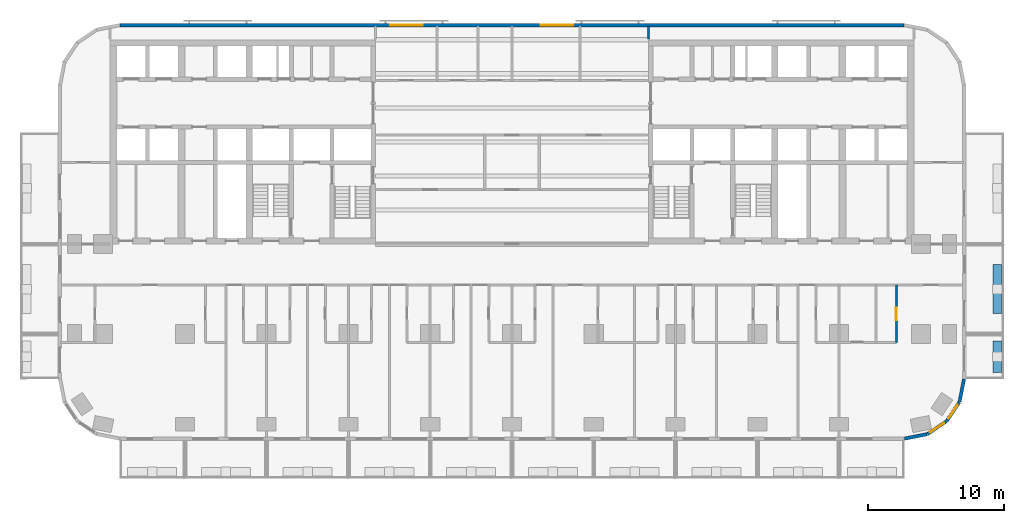
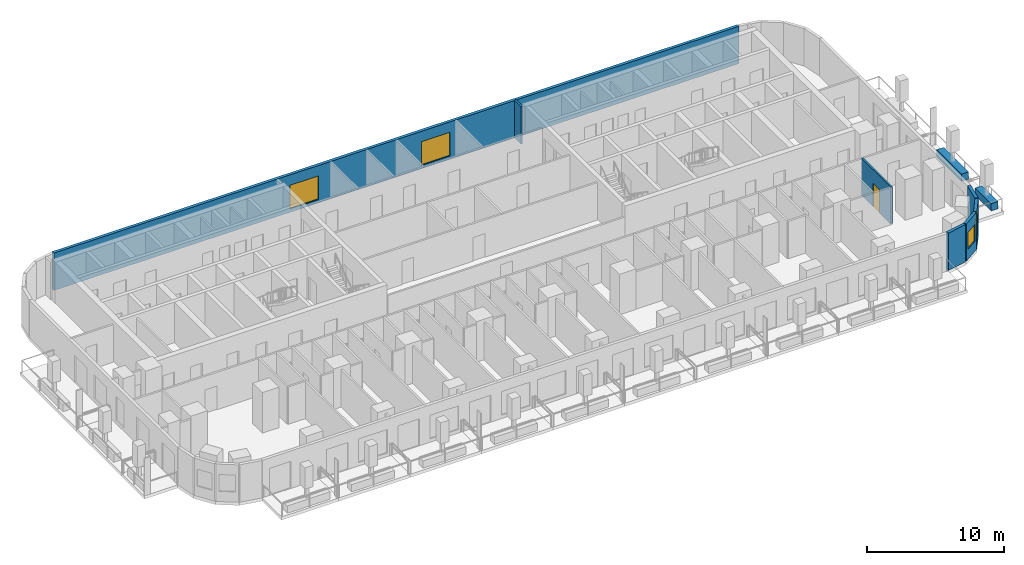
# One storey, part 8 of 14: 9 walls, 4 windows, 1 door, 5 openings.
"""IFC4 building model written with IfcOpenShell, lengths in metres."""

from ifc_helpers import new_model, si_unit, direction, frame, frame_2d, origin, place, context, subcontext, project, spatial, rectangle, extrude, material, layer, layer_set, type_object, element, fill, save


model = new_model("IFC4")

# Units and contexts
model_context = context("Model", 3, precision=1e-05, world=origin(), true_north=direction((0.0, 1.0)))
body_context = subcontext(model_context, "Body", "Model", "MODEL_VIEW")
ifc_project = project(units=[si_unit("LENGTHUNIT", "METRE"), si_unit("AREAUNIT", "SQUARE_METRE"), si_unit("VOLUMEUNIT", "CUBIC_METRE"), si_unit("PLANEANGLEUNIT", "RADIAN"), si_unit("MASSUNIT", "GRAM", prefix="KILO")], contexts=[model_context])

# Site, building, storey
site_placement = place(None, origin())
site = spatial("IfcSite", under=ifc_project, at=site_placement, CompositionType="ELEMENT")
building_placement = place(site_placement, origin())
building = spatial("IfcBuilding", under=site, at=building_placement, Name="Torana Hotel and Residences", CompositionType="ELEMENT")
storey_placement = place(building_placement, frame((0.0, 0.0, 38.39990234375)))
storey = spatial("IfcBuildingStorey", under=building, at=storey_placement, Name="L08", CompositionType="ELEMENT", Elevation=38.39990234375)

# Wall
ifc_material_1 = material(Name="Black aluminium composite panel", Category="aluminium")
ifc_layer_1 = layer(ifc_material_1, 0.00390625, Name="Cladding", Category="cladding")
ifc_material_2 = material(Name="Ventilated air cavity")
ifc_layer_2 = layer(ifc_material_2, 0.0400390625, Name="Ventilated cavity", Category="cavity")
ifc_material_3 = material(Name="Mineral wool insulation")
ifc_layer_3 = layer(ifc_material_3, 0.090087890625, Name="Insulation", Category="insulation")
ifc_material_4 = material(Name="Steel S280GD", Category="steel")
ifc_layer_4 = layer(ifc_material_4, 0.092041015625, Name="Steel stud frame", Category="structure")
ifc_material_5 = material(Name="Fire rated plasterboard")
ifc_layer_5 = layer(ifc_material_5, 0.011962890625, Name="Inner board", Category="finish")
ifc_layer_6 = layer(ifc_material_5, 0.011962890625, Name="Second board", Category="finish")
ifc_layer_set_1 = layer_set([ifc_layer_1, ifc_layer_2, ifc_layer_3, ifc_layer_4, ifc_layer_5, ifc_layer_6], Name="EW1 EXTERNAL WALL BLACK METAL CLAD 250")
wall_type_1 = type_object("IfcWallType", Name="EW1 EXTERNAL WALL BLACK METAL CLAD 250", PredefinedType="SOLIDWALL", material=ifc_layer_set_1)
wall_1_placement = place(storey_placement, frame((28.7998046875, -29.272705078125, 0.0), z_axis=(0.0, 0.0, 1.0), x_axis=(0.980775640221, 0.19513878023, 0.0)))
element("IfcWall", 1, at=wall_1_placement, inside=storey, type_object=wall_type_1, Name="External wall L08 e0.15", PredefinedType="SOLIDWALL", context=body_context, shape_type="SweptSolid", body=[
    extrude(rectangle(XDim=1.681396484375, YDim=0.25, at=frame_2d((0.8408203125, 0.0))), origin(), (0.0, 0.0, 1.0), 3.320068359375),
])

# Wall, opening, window
wall_2_placement = place(storey_placement, frame((30.493896484375, -28.92578125, 0.0), z_axis=(0.0, 0.0, 1.0), x_axis=(0.831482937015, 0.55555029066, 0.0)))
wall_2 = element("IfcWall", 2, at=wall_2_placement, inside=storey, type_object=wall_type_1, Name="External wall L08 e0.16", PredefinedType="SOLIDWALL", context=body_context, shape_type="SweptSolid", body=[
    extrude(rectangle(XDim=1.65625, YDim=0.25, at=frame_2d((0.828125, 0.0))), origin(), (0.0, 0.0, 1.0), 3.320068359375),
])
opening_1_placement = place(wall_2_placement, frame((0.228271484375, 0.0, 0.89990234375)))
opening_1 = element("IfcOpeningElement", 3, at=opening_1_placement, cuts=wall_2, Name="Opening W5", PredefinedType="OPENING", context=body_context, shape_type="SweptSolid", body=[
    extrude(rectangle(XDim=1.199951171875, YDim=1.5, at=frame_2d((0.60009765625, 0.75))), frame((0.0, 0.135009765625, 0.0), z_axis=(0.0, -1.0, 0.0), x_axis=(1.0, 0.0, 0.0)), (0.0, 0.0, 1.0), 0.27001953125),
])
ifc_material_6 = material(Name="Dark glass in black aluminium frame", Category="aluminium")
window_type_1 = type_object("IfcWindowType", Name="W5 CORNER FACET WINDOW 1200x1500", PartitioningType="SINGLE_PANEL", PredefinedType="WINDOW", material=ifc_material_6)
window_1_placement = place(opening_1_placement, origin())
window_1 = element("IfcWindow", 4, at=window_1_placement, inside=storey, type_object=window_type_1, Name="Window L08 e0.16", OverallHeight=1.5, OverallWidth=1.199951171875, PartitioningType="SINGLE_PANEL", PredefinedType="WINDOW", context=body_context, shape_type="SweptSolid", body=[
    extrude(rectangle(XDim=1.199951171875, YDim=1.5, at=frame_2d((0.60009765625, 0.75))), frame((0.0, 0.030029296875, 0.0), z_axis=(0.0, -1.0, 0.0), x_axis=(1.0, 0.0, 0.0)), (0.0, 0.0, 1.0), 0.06005859375),
])
fill(opening_1, window_1)

wall_3_placement = place(storey_placement, frame((31.90576171875, -27.97119140625, 0.0), z_axis=(0.0, 0.0, 1.0), x_axis=(0.55555029066, 0.831482937015, 0.0)))
wall_3 = element("IfcWall", 5, at=wall_3_placement, inside=storey, type_object=wall_type_1, Name="External wall L08 e0.17", PredefinedType="SOLIDWALL", context=body_context, shape_type="SweptSolid", body=[
    extrude(rectangle(XDim=1.65625, YDim=0.25, at=frame_2d((0.828125, 0.0))), origin(), (0.0, 0.0, 1.0), 3.320068359375),
])
opening_2_placement = place(wall_3_placement, frame((0.228271484375, 0.0, 0.89990234375)))
opening_2 = element("IfcOpeningElement", 6, at=opening_2_placement, cuts=wall_3, Name="Opening W5", PredefinedType="OPENING", context=body_context, shape_type="SweptSolid", body=[
    extrude(rectangle(XDim=1.199951171875, YDim=1.5, at=frame_2d((0.60009765625, 0.75))), frame((0.0, 0.135009765625, 0.0), z_axis=(0.0, -1.0, 0.0), x_axis=(1.0, 0.0, 0.0)), (0.0, 0.0, 1.0), 0.27001953125),
])
window_2_placement = place(opening_2_placement, origin())
window_2 = element("IfcWindow", 7, at=window_2_placement, inside=storey, type_object=window_type_1, Name="Window L08 e0.17", OverallHeight=1.5, OverallWidth=1.199951171875, PartitioningType="SINGLE_PANEL", PredefinedType="WINDOW", context=body_context, shape_type="SweptSolid", body=[
    extrude(rectangle(XDim=1.199951171875, YDim=1.5, at=frame_2d((0.60009765625, 0.75))), frame((0.0, 0.030029296875, 0.0), z_axis=(0.0, -1.0, 0.0), x_axis=(1.0, 0.0, 0.0)), (0.0, 0.0, 1.0), 0.06005859375),
])
fill(opening_2, window_2)

# Wall
wall_4_placement = place(storey_placement, frame((32.844482421875, -26.548828125, 0.0), z_axis=(0.0, 0.0, 1.0), x_axis=(0.195166572128, 0.980770110232, 0.0)))
element("IfcWall", 8, at=wall_4_placement, inside=storey, type_object=wall_type_1, Name="External wall L08 e0.18", PredefinedType="SOLIDWALL", context=body_context, shape_type="SweptSolid", body=[
    extrude(rectangle(XDim=1.68115234375, YDim=0.25, at=frame_2d((0.840576171875, 0.0))), origin(), (0.0, 0.0, 1.0), 3.320068359375),
])

# Wall, openings, windows
ifc_material_7 = material(Name="Concrete C40/50 precast", Category="concrete")
ifc_layer_7 = layer(ifc_material_7, 0.10009765625, Name="Perforated block", Category="cladding")
ifc_material_8 = material(Name="Air cavity")
ifc_layer_8 = layer(ifc_material_8, 0.030029296875, Name="Cavity", Category="cavity")
ifc_material_9 = material(Name="Concrete C40/50", Category="concrete")
ifc_layer_9 = layer(ifc_material_9, 0.10009765625, Name="Wall", Category="structure")
ifc_material_10 = material(Name="Plaster and paint")
ifc_layer_10 = layer(ifc_material_10, 0.02001953125, Name="Inner finish", Category="finish")
ifc_layer_set_2 = layer_set([ifc_layer_7, ifc_layer_8, ifc_layer_9, ifc_layer_10], Name="EW2 PERFORATED BLOCK SCREEN WALL 250")
wall_type_2 = type_object("IfcWallType", Name="EW2 PERFORATED BLOCK SCREEN WALL 250", PredefinedType="SOLIDWALL", material=ifc_layer_set_2)
wall_5_placement = place(storey_placement, frame((28.775390625, 1.074951171875, 0.0), z_axis=(0.0, 0.0, 1.0), x_axis=(-1.0, 0.0, 0.0)))
wall_5 = element("IfcWall", 9, at=wall_5_placement, inside=storey, type_object=wall_type_2, Name="External wall L08 e0.4", PredefinedType="SOLIDWALL", context=body_context, shape_type="SweptSolid", body=[
    extrude(rectangle(XDim=57.55078125, YDim=0.25, at=frame_2d((28.775390625, 0.0))), origin(), (0.0, 0.0, 1.0), 3.320068359375),
])
opening_3_placement = place(wall_5_placement, frame((24.275390625, 0.0, 0.300048828125)))
opening_3 = element("IfcOpeningElement", 10, at=opening_3_placement, cuts=wall_5, Name="Opening W1", PredefinedType="OPENING", context=body_context, shape_type="SweptSolid", body=[
    extrude(rectangle(XDim=2.39990234375, YDim=2.10009765625, at=frame_2d((1.199951171875, 1.050048828125))), frame((0.0, 0.135009765625, 0.0), z_axis=(0.0, -1.0, 0.0), x_axis=(1.0, 0.0, 0.0)), (0.0, 0.0, 1.0), 0.27001953125),
])
opening_4_placement = place(wall_5_placement, frame((35.325439453125, 0.0, 0.300048828125)))
opening_4 = element("IfcOpeningElement", 11, at=opening_4_placement, cuts=wall_5, Name="Opening W1", PredefinedType="OPENING", context=body_context, shape_type="SweptSolid", body=[
    extrude(rectangle(XDim=2.39990234375, YDim=2.10009765625, at=frame_2d((1.199951171875, 1.050048828125))), frame((0.0, 0.135009765625, 0.0), z_axis=(0.0, -1.0, 0.0), x_axis=(1.0, 0.0, 0.0)), (0.0, 0.0, 1.0), 0.27001953125),
])
ifc_material_11 = material(Name="Dark glass in black aluminium frame", Category="aluminium")
window_type_2 = type_object("IfcWindowType", Name="W1 HOTEL ROOM WINDOW 2400x2100", PartitioningType="SINGLE_PANEL", PredefinedType="WINDOW", material=ifc_material_11)
window_3_placement = place(opening_3_placement, origin())
window_3 = element("IfcWindow", 12, at=window_3_placement, inside=storey, type_object=window_type_2, Name="Window L08", OverallHeight=2.10009765625, OverallWidth=2.39990234375, PartitioningType="SINGLE_PANEL", PredefinedType="WINDOW", context=body_context, shape_type="SweptSolid", body=[
    extrude(rectangle(XDim=2.39990234375, YDim=2.10009765625, at=frame_2d((1.199951171875, 1.050048828125))), frame((0.0, 0.030029296875, 0.0), z_axis=(0.0, -1.0, 0.0), x_axis=(1.0, 0.0, 0.0)), (0.0, 0.0, 1.0), 0.06005859375),
])
fill(opening_3, window_3)
window_4_placement = place(opening_4_placement, origin())
window_4 = element("IfcWindow", 13, at=window_4_placement, inside=storey, type_object=window_type_2, Name="Window L08", OverallHeight=2.10009765625, OverallWidth=2.39990234375, PartitioningType="SINGLE_PANEL", PredefinedType="WINDOW", context=body_context, shape_type="SweptSolid", body=[
    extrude(rectangle(XDim=2.39990234375, YDim=2.10009765625, at=frame_2d((1.199951171875, 1.050048828125))), frame((0.0, 0.030029296875, 0.0), z_axis=(0.0, -1.0, 0.0), x_axis=(1.0, 0.0, 0.0)), (0.0, 0.0, 1.0), 0.06005859375),
])
fill(opening_4, window_4)

# Wall, opening, door
ifc_material_12 = material(Name="Gypsum plasterboard")
ifc_layer_11 = layer(ifc_material_12, 0.012451171875, Name="Plasterboard", Category="finish")
ifc_layer_12 = layer(ifc_material_12, 0.012451171875, Name="Plasterboard", Category="finish")
ifc_layer_13 = layer(ifc_material_4, 0.10009765625, Name="Steel studs with mineral wool", Category="insulation")
ifc_layer_14 = layer(ifc_material_12, 0.012451171875, Name="Plasterboard", Category="finish")
ifc_layer_15 = layer(ifc_material_12, 0.012451171875, Name="Plasterboard", Category="finish")
ifc_layer_set_3 = layer_set([ifc_layer_11, ifc_layer_12, ifc_layer_13, ifc_layer_14, ifc_layer_15], Name="PARTITION 150 PLASTERBOARD")
wall_type_3 = type_object("IfcWallType", Name="PARTITION 150 PLASTERBOARD", PredefinedType="PARTITIONING", material=ifc_layer_set_3)
wall_6_placement = place(storey_placement, frame((28.199951171875, -22.199951171875, 0.0), z_axis=(0.0, 0.0, 1.0), x_axis=(0.0, 1.0, 0.0)))
wall_6 = element("IfcWall", 14, at=wall_6_placement, inside=storey, type_object=wall_type_3, Name="Partition L08", PredefinedType="PARTITIONING", context=body_context, shape_type="SweptSolid", body=[
    extrude(rectangle(XDim=4.199951171875, YDim=0.14990234375, at=frame_2d((2.10009765625, 0.0))), origin(), (0.0, 0.0, 1.0), 3.320068359375),
])
opening_5_placement = place(wall_6_placement, frame((1.6298828125, 0.0, 0.0)))
opening_5 = element("IfcOpeningElement", 15, at=opening_5_placement, cuts=wall_6, Name="Opening L08-81", PredefinedType="OPENING", context=body_context, shape_type="SweptSolid", body=[
    extrude(rectangle(XDim=0.89990234375, YDim=2.10009765625, at=frame_2d((0.449951171875, 1.050048828125))), frame((0.0, 0.0849609375, 0.0), z_axis=(0.0, -1.0, 0.0), x_axis=(1.0, 0.0, 0.0)), (0.0, 0.0, 1.0), 0.169921875),
])
ifc_material_13 = material(Name="Timber door, oiled ash", Category="wood")
door_type = type_object("IfcDoorType", Name="ROOM DOOR D7 900x2100", OperationType="SINGLE_SWING_LEFT", PredefinedType="DOOR", material=ifc_material_13)
door_placement = place(opening_5_placement, origin())
door = element("IfcDoor", 16, at=door_placement, inside=storey, type_object=door_type, Name="Door L08", OperationType="SINGLE_SWING_RIGHT", OverallHeight=2.10009765625, OverallWidth=0.89990234375, PredefinedType="DOOR", context=body_context, shape_type="SweptSolid", body=[
    extrude(rectangle(XDim=0.89990234375, YDim=2.10009765625, at=frame_2d((0.449951171875, 1.050048828125))), frame((0.0, 0.02490234375, 0.0), z_axis=(0.0, -1.0, 0.0), x_axis=(1.0, 0.0, 0.0)), (0.0, 0.0, 1.0), 0.050048828125),
])
fill(opening_5, door)

# Walls
wall_7_placement = place(storey_placement, frame((10.0, 0.050048828125, 0.0), z_axis=(0.0, 0.0, 1.0), x_axis=(0.0, 1.0, 0.0)))
element("IfcWall", 17, at=wall_7_placement, inside=storey, type_object=wall_type_3, Name="Partition L08", PredefinedType="PARTITIONING", context=body_context, shape_type="SweptSolid", body=[
    extrude(rectangle(XDim=0.969970703125, YDim=0.14990234375, at=frame_2d((0.48486328125, 0.0))), origin(), (0.0, 0.0, 1.0), 3.320068359375),
])
ifc_layer_16 = layer(ifc_material_7, 0.10009765625, Name="Planter shell", Category="structure")
ifc_material_14 = material(Name="Root resistant membrane")
ifc_layer_17 = layer(ifc_material_14, 0.00390625, Name="Waterproofing membrane", Category="membrane")
ifc_material_15 = material(Name="Drainage board with filter fleece")
ifc_layer_18 = layer(ifc_material_15, 0.02001953125, Name="Drainage board", Category="drainage")
ifc_material_16 = material(Name="Growing medium")
ifc_layer_19 = layer(ifc_material_16, 0.47607421875, Name="Planting substrate", Category="soil")
ifc_layer_set_4 = layer_set([ifc_layer_16, ifc_layer_17, ifc_layer_18, ifc_layer_19], Name="PL1 BALCONY PLANTER 600")
wall_type_4 = type_object("IfcWallType", Name="PL1 BALCONY PLANTER 600", PredefinedType="USERDEFINED", material=ifc_layer_set_4)
wall_8_placement = place(storey_placement, frame((35.60009765625, -22.10009765625, 0.0), z_axis=(0.0, 0.0, 1.0), x_axis=(0.0, -1.0, 0.0)))
element("IfcWall", 18, at=wall_8_placement, inside=storey, type_object=wall_type_4, Name="Planter 14", ObjectType="PLANTER", PredefinedType="USERDEFINED", context=body_context, shape_type="SweptSolid", body=[
    extrude(rectangle(XDim=2.2998046875, YDim=0.60009765625, at=frame_2d((1.14990234375, 0.0))), origin(), (0.0, 0.0, 1.0), 0.650146484375),
])
wall_9_placement = place(storey_placement, frame((35.60009765625, -16.5, 0.0), z_axis=(0.0, 0.0, 1.0), x_axis=(0.0, -1.0, 0.0)))
element("IfcWall", 19, at=wall_9_placement, inside=storey, type_object=wall_type_4, Name="Planter 15", ObjectType="PLANTER", PredefinedType="USERDEFINED", context=body_context, shape_type="SweptSolid", body=[
    extrude(rectangle(XDim=3.60009765625, YDim=0.60009765625, at=frame_2d((1.800048828125, 0.0))), origin(), (0.0, 0.0, 1.0), 0.650146484375),
])

save(model, "model.ifc")
